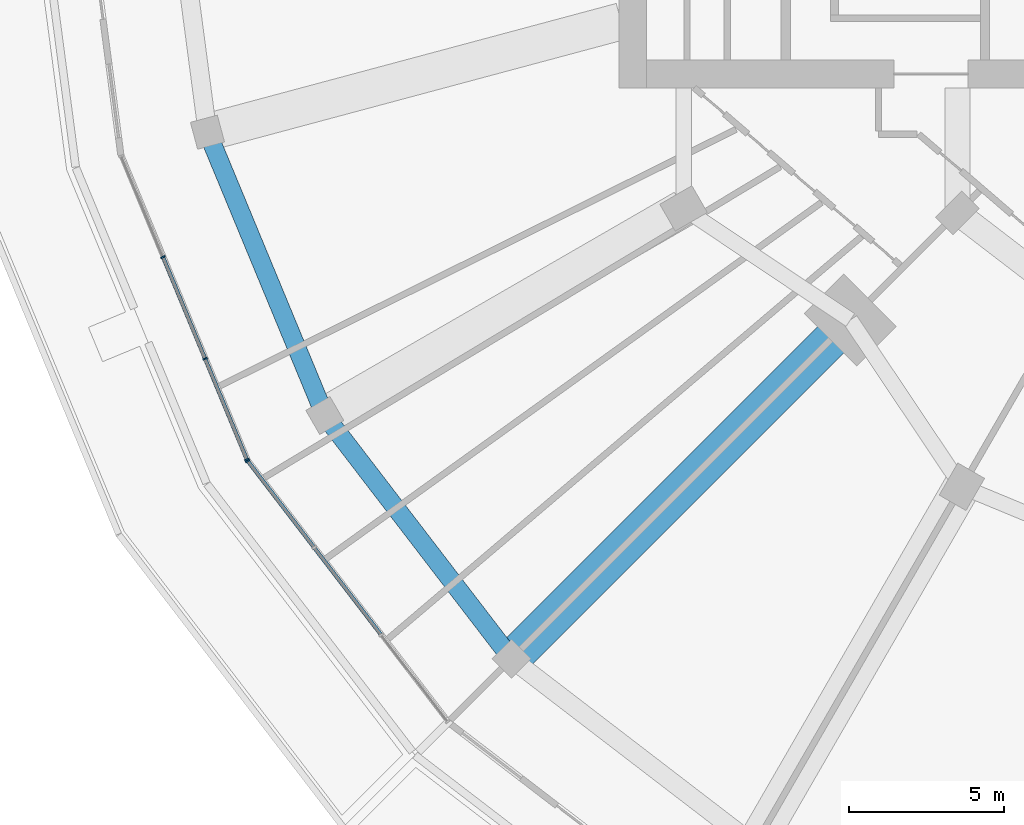
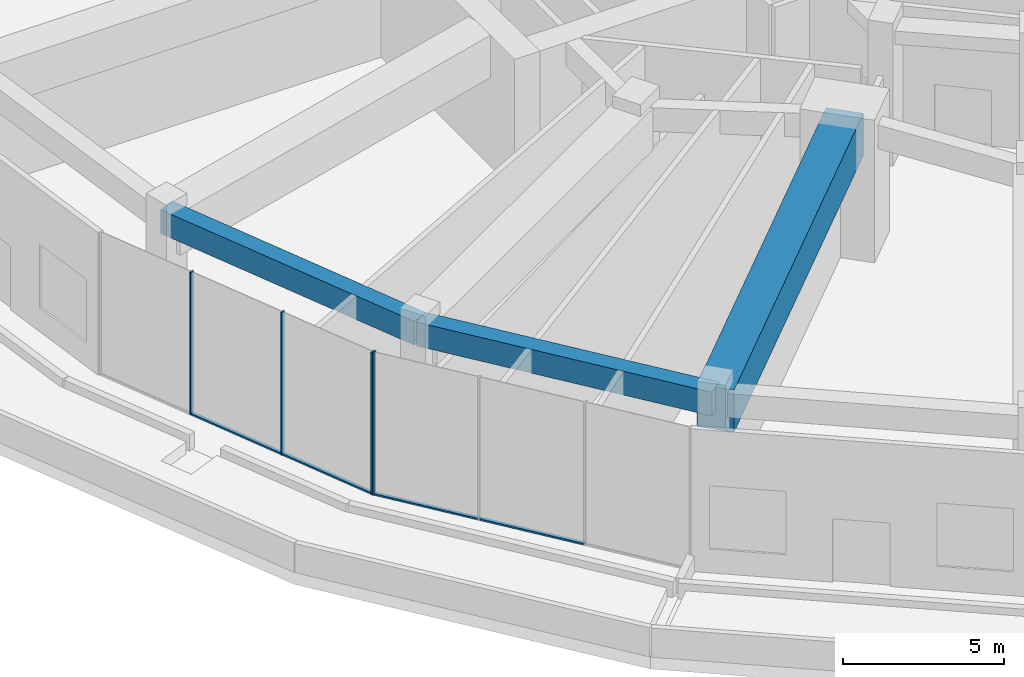
# One storey, part 3 of 30: 8 members, 3 beams, 2 elements without a shape of their own.
"""IFC4 building model written with IfcOpenShell, lengths in metres."""

from ifc_helpers import new_model, si_unit, direction, frame, origin, origin_2d, place, context, subcontext, project, spatial, rectangle, extrude, material, layer, layer_set, material_profile, profile_set, type_object, element, aggregate, save


model = new_model("IFC4")

# Units and contexts
model_context = context("Model", 3, precision=1e-05, world=origin(), true_north=direction((0.0, 1.0)))
body_context = subcontext(model_context, "Body", "Model", "MODEL_VIEW")
ifc_project = project(units=[si_unit("LENGTHUNIT", "METRE"), si_unit("AREAUNIT", "SQUARE_METRE"), si_unit("VOLUMEUNIT", "CUBIC_METRE"), si_unit("PLANEANGLEUNIT", "RADIAN"), si_unit("MASSUNIT", "GRAM", prefix="KILO")], contexts=[model_context])

# Site, building, storey
site_placement = place(None, origin())
site = spatial("IfcSite", under=ifc_project, at=site_placement, CompositionType="ELEMENT")
building_placement = place(site_placement, origin())
building = spatial("IfcBuilding", under=site, at=building_placement, Name="Torre Brocal", CompositionType="ELEMENT")
storey_placement = place(building_placement, frame((0.0, 0.0, 7.0)))
storey = spatial("IfcBuildingStorey", under=building, at=storey_placement, Name="L01", CompositionType="ELEMENT", Elevation=7.0)

# Curtain wall, members
ifc_material_1 = material(Name="Aluminium and glass", Category="aluminium")
ifc_layer = layer(ifc_material_1, 0.199951171875)
ifc_layer_set = layer_set([ifc_layer], Name="Aluminium and glass")
curtain_wall_type = type_object("IfcCurtainWallType", Name="CW-3 CURTAIN WALL 5400 HIGH", PredefinedType="NOTDEFINED", material=ifc_layer_set)
curtain_wall_1_placement = place(storey_placement, origin())
curtain_wall_1 = element("IfcCurtainWall", 1, at=curtain_wall_1_placement, inside=storey, type_object=curtain_wall_type, Name="CW-3 RUN 14", PredefinedType="NOTDEFINED")
ifc_material_2 = material(Name="Aluminium, dark anodised", Category="aluminium")
ifc_material_profile_1 = material_profile(ifc_material_2, rectangle(XDim=0.14990234375, YDim=0.050048828125, at=origin_2d()), Name="CW-3 MULLION 50X150")
ifc_profile_set_1 = profile_set([ifc_material_profile_1], Name="Aluminium, dark anodised")
member_type_1 = type_object("IfcMemberType", Name="CW-3 MULLION 50X150", PredefinedType="MULLION", material=ifc_profile_set_1)
member_1_placement = place(storey_placement, frame((41.8564453125, 61.12646484375, 0.0), z_axis=(0.0, 0.0, 1.0), x_axis=(0.923879532498, 0.382683432397, 0.0)))
member_1 = element("IfcMember", 2, at=member_1_placement, type_object=member_type_1, Name="CW3-2 mullion 2", PredefinedType="MULLION", context=body_context, shape_type="SweptSolid", body=[
    extrude(rectangle(XDim=0.14990234375, YDim=0.050048828125, at=origin_2d()), origin(), (0.0, 0.0, 1.0), 5.39990234375),
])
member_2_placement = place(storey_placement, frame((43.21826171875, 57.83837890625, 0.0), z_axis=(0.0, 0.0, 1.0), x_axis=(0.923879532498, 0.382683432397, 0.0)))
member_2 = element("IfcMember", 3, at=member_2_placement, type_object=member_type_1, Name="CW3-2 mullion 3", PredefinedType="MULLION", context=body_context, shape_type="SweptSolid", body=[
    extrude(rectangle(XDim=0.14990234375, YDim=0.050048828125, at=origin_2d()), origin(), (0.0, 0.0, 1.0), 5.39990234375),
])
member_3_placement = place(storey_placement, frame((44.57080078125, 54.573486328125, 0.0), z_axis=(0.0, 0.0, 1.0), x_axis=(0.923879532498, 0.382683432397, 0.0)))
member_3 = element("IfcMember", 4, at=member_3_placement, type_object=member_type_1, Name="CW3-2 mullion 4", PredefinedType="MULLION", context=body_context, shape_type="SweptSolid", body=[
    extrude(rectangle(XDim=0.14990234375, YDim=0.050048828125, at=origin_2d()), origin(), (0.0, 0.0, 1.0), 5.39990234375),
])

# Curtain wall, member
curtain_wall_2_placement = place(storey_placement, origin())
curtain_wall_2 = element("IfcCurtainWall", 5, at=curtain_wall_2_placement, inside=storey, type_object=curtain_wall_type, Name="CW-3 RUN 15", PredefinedType="NOTDEFINED")
member_4_placement = place(storey_placement, frame((44.595458984375, 54.530517578125, 0.0), z_axis=(0.0, 0.0, 1.0), x_axis=(0.793353340291, 0.608761429009, 0.0)))
member_4 = element("IfcMember", 6, at=member_4_placement, type_object=member_type_1, Name="CW3-2 mullion 1", PredefinedType="MULLION", context=body_context, shape_type="SweptSolid", body=[
    extrude(rectangle(XDim=0.14990234375, YDim=0.050048828125, at=origin_2d()), origin(), (0.0, 0.0, 1.0), 5.39990234375),
])

# Member
ifc_material_3 = material(Name="Aluminium, dark anodised", Category="aluminium")
ifc_material_profile_2 = material_profile(ifc_material_3, rectangle(XDim=0.1201171875, YDim=0.06005859375, at=origin_2d()), Name="CW-3 TRANSOM 120X60")
ifc_profile_set_2 = profile_set([ifc_material_profile_2], Name="Aluminium, dark anodised")
member_type_2 = type_object("IfcMemberType", Name="CW-3 TRANSOM 120X60", PredefinedType="USERDEFINED", material=ifc_profile_set_2)
member_5_placement = place(storey_placement, frame((41.865966796875, 61.103515625, 0.030029296875), z_axis=(0.382663128485, -0.923887942392, 0.0), x_axis=(0.923887942392, 0.382663128485, 0.0)))
member_5 = element("IfcMember", 7, at=member_5_placement, type_object=member_type_2, Name="CW3-2 transom 2.1", ObjectType="TRANSOM", PredefinedType="USERDEFINED", context=body_context, shape_type="SweptSolid", body=[
    extrude(rectangle(XDim=0.1201171875, YDim=0.06005859375, at=origin_2d()), origin(), (0.0, 0.0, 1.0), 3.509033203125),
])

member_6_placement = place(storey_placement, frame((43.22802734375, 57.8154296875, 0.030029296875), z_axis=(0.382683934419, -0.923879324553, 0.0), x_axis=(0.923879324553, 0.382683934419, 0.0)))
member_6 = element("IfcMember", 8, at=member_6_placement, type_object=member_type_2, Name="CW3-2 transom 3.1", ObjectType="TRANSOM", PredefinedType="USERDEFINED", context=body_context, shape_type="SweptSolid", body=[
    extrude(rectangle(XDim=0.1201171875, YDim=0.06005859375, at=origin_2d()), origin(), (0.0, 0.0, 1.0), 3.48388671875),
])

aggregate(curtain_wall_1, [member_1, member_2, member_3, member_5, member_6])

member_7_placement = place(storey_placement, frame((44.61083984375, 54.5107421875, 0.030029296875), z_axis=(0.608765450251, -0.793350254667, 0.0), x_axis=(0.793350254667, 0.608765450251, 0.0)))
member_7 = element("IfcMember", 9, at=member_7_placement, type_object=member_type_2, Name="CW3-2 transom 1.1", ObjectType="TRANSOM", PredefinedType="USERDEFINED", context=body_context, shape_type="SweptSolid", body=[
    extrude(rectangle(XDim=0.1201171875, YDim=0.06005859375, at=origin_2d()), origin(), (0.0, 0.0, 1.0), 3.48388671875),
])

member_8_placement = place(storey_placement, frame((46.761962890625, 51.70703125, 0.030029296875), z_axis=(0.608802491862, -0.793321829967, 0.0), x_axis=(0.793321829967, 0.608802491862, 0.0)))
member_8 = element("IfcMember", 10, at=member_8_placement, type_object=member_type_2, Name="CW3-2 transom 2.1", ObjectType="TRANSOM", PredefinedType="USERDEFINED", context=body_context, shape_type="SweptSolid", body=[
    extrude(rectangle(XDim=0.1201171875, YDim=0.06005859375, at=origin_2d()), origin(), (0.0, 0.0, 1.0), 3.5087890625),
])

aggregate(curtain_wall_2, [member_4, member_7, member_8])

# Beams
ifc_material_4 = material(Name="Concrete C50", Category="concrete")
ifc_material_profile_3 = material_profile(ifc_material_4, rectangle(XDim=0.60009765625, YDim=0.89990234375, at=origin_2d()), Name="RC 600X900")
ifc_profile_set_3 = profile_set([ifc_material_profile_3], Name="Concrete C50")
beam_type_1 = type_object("IfcBeamType", Name="RC BEAM 600X900 C50 TOP 4950", PredefinedType="BEAM", material=ifc_profile_set_3)
for number, where, z_axis, x_axis, name in (
    (11, (43.294921875, 65.164794921875, 4.5), (0.382680009946, -0.923880950116, 0.0), (0.923880950116, 0.382680009946, 0.0), "Beam BT-10"),
    (12, (47.091064453125, 56.0, 4.5), (0.608752866125, -0.79335991075, 0.0), (0.79335991075, 0.608752866125, 0.0), "Beam BT-10"),
):
    element("IfcBeam", number, at=place(storey_placement, frame(where, z_axis=z_axis, x_axis=x_axis)), inside=storey, type_object=beam_type_1, Name=name, PredefinedType="BEAM", context=body_context, shape_type="SweptSolid", body=[
        extrude(rectangle(XDim=0.60009765625, YDim=0.89990234375, at=origin_2d()), origin(), (0.0, 0.0, 1.0), 9.919921875),
    ])
ifc_material_5 = material(Name="Concrete C60", Category="concrete")
ifc_material_profile_4 = material_profile(ifc_material_5, rectangle(XDim=1.199951171875, YDim=1.60009765625, at=origin_2d()), Name="RC 1200X1600")
ifc_profile_set_4 = profile_set([ifc_material_profile_4], Name="Concrete C60")
beam_type_2 = type_object("IfcBeamType", Name="RC TRANSFER GIRDER 1200X1600 C60 TOP 4950", PredefinedType="BEAM", material=ifc_profile_set_4)
beam_placement = place(storey_placement, frame((64.090087890625, 59.090087890625, 4.14990234375), z_axis=(-0.707106781187, -0.707106781187, 0.0), x_axis=(0.707106781187, -0.707106781187, 0.0)))
element("IfcBeam", 13, at=beam_placement, inside=storey, type_object=beam_type_2, Name="Beam TG-02", PredefinedType="BEAM", context=body_context, shape_type="SweptSolid", body=[
    extrude(rectangle(XDim=1.199951171875, YDim=1.60009765625, at=origin_2d()), origin(), (0.0, 0.0, 1.0), 15.5),
])

save(model, "model.ifc")
